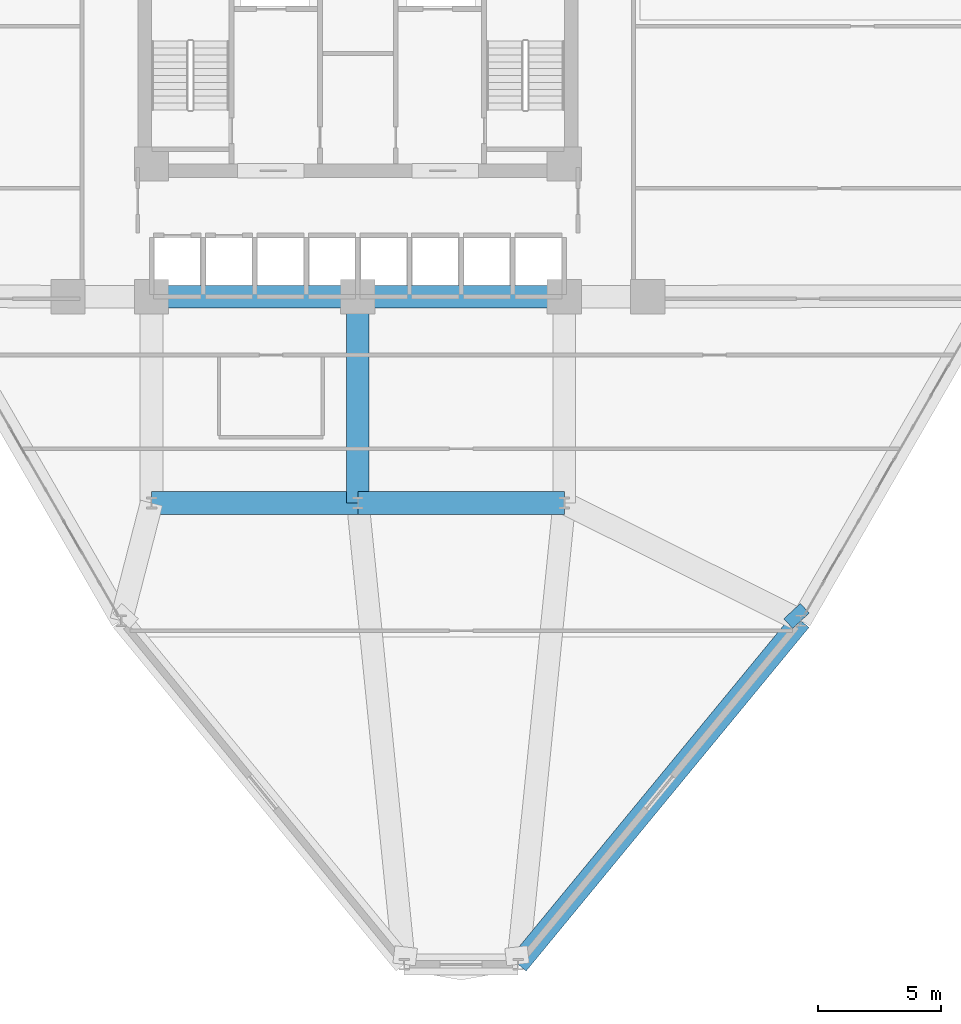
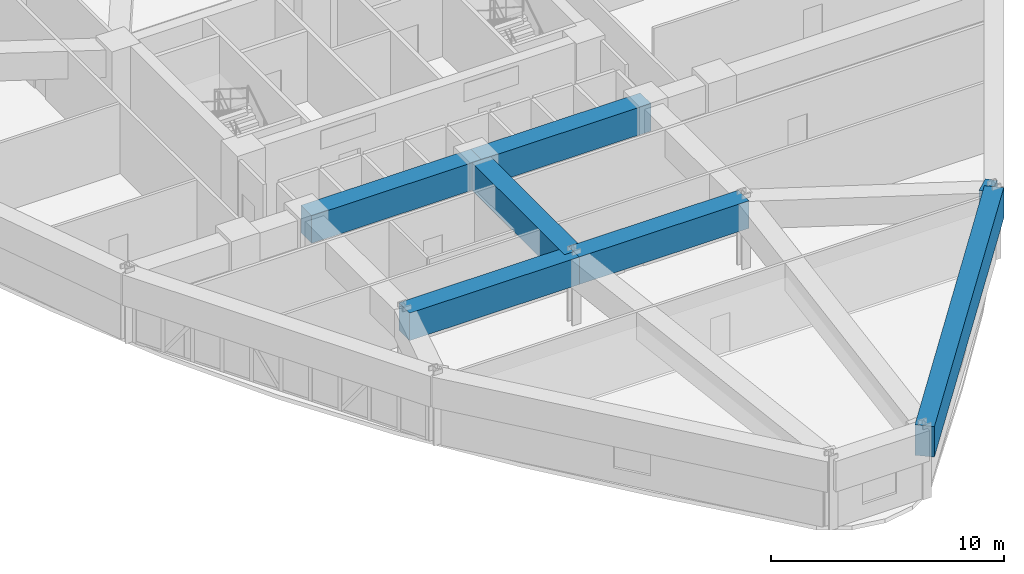
# One storey, part 5 of 18: 7 beams.
"""IFC4 building model written with IfcOpenShell, lengths in metres."""

from ifc_helpers import new_model, si_unit, derived_unit, direction, frame, origin, origin_2d, place, context, subcontext, project, spatial, rectangle, extrude, source, transform, mapped, material, material_profile, profile_set, type_object, element, save


model = new_model("IFC4")

# Units and contexts
model_context = context("Model", 3, precision=1e-05, world=origin(), true_north=direction((0.0, 1.0)))
body_context = subcontext(model_context, "Body", "Model", "MODEL_VIEW")
ifc_project = project(units=[si_unit("LENGTHUNIT", "METRE"), si_unit("AREAUNIT", "SQUARE_METRE"), si_unit("VOLUMEUNIT", "CUBIC_METRE"), si_unit("PLANEANGLEUNIT", "RADIAN"), si_unit("MASSUNIT", "GRAM", prefix="KILO"), derived_unit("THERMALTRANSMITTANCEUNIT", [(si_unit("POWERUNIT", "WATT"), 1), (si_unit("LENGTHUNIT", "METRE"), -2), (si_unit("THERMODYNAMICTEMPERATUREUNIT", "KELVIN"), -1)])], contexts=[model_context])

# Site, building, storey
site_placement = place(None, origin())
site = spatial("IfcSite", under=ifc_project, at=site_placement, CompositionType="ELEMENT")
building_placement = place(site_placement, origin())
building = spatial("IfcBuilding", under=site, at=building_placement, Name="Korsvarv Bourse and Concert Hall", CompositionType="ELEMENT")
storey_placement = place(building_placement, frame((0.0, 0.0, 71.699951171875)))
storey = spatial("IfcBuildingStorey", under=building, at=storey_placement, Name="L17", CompositionType="ELEMENT", Elevation=71.699951171875)

# Beams
ifc_material_1 = material(Name="Concrete C50/60", Category="concrete")
ifc_material_profile_1 = material_profile(ifc_material_1, rectangle(XDim=0.919921875, YDim=1.43994140625, at=origin_2d()), Name="RC-BM 920x1440")
ifc_profile_set_1 = profile_set([ifc_material_profile_1], Name="Concrete C50/60")
beam_type_1 = type_object("IfcBeamType", Name="BM-TR-144", PredefinedType="BEAM", material=ifc_profile_set_1)
shared_shape_1 = source(origin(), body_context, "Body", "SweptSolid", [
    extrude(rectangle(XDim=0.919921875, YDim=1.43994140625, at=origin_2d()), origin(), (0.0, 0.0, 1.0), 8.39990234375),
])
for number, where, z_axis, x_axis, name in (
    (1, (27.60009765625, 32.39990234375, 2.9599609375), (1.0, 0.0, 0.0), (0.0, 1.0, 0.0), "L17 beam B-TR4"),
    (2, (36.0, 32.39990234375, 2.9599609375), (1.0, 0.0, 0.0), (0.0, 1.0, 0.0), "L17 beam B-TR4"),
    (3, (27.60009765625, 24.0, 2.9599609375), (1.0, 0.0, 0.0), (0.0, 1.0, 0.0), "L17 beam B-TR4"),
    (4, (36.0, 24.0, 2.9599609375), (1.0, 0.0, 0.0), (0.0, 1.0, 0.0), "L17 beam B-TR4"),
    (5, (36.0, 24.0, 2.9599609375), (0.0, 1.0, 0.0), (-1.0, 0.0, 0.0), "L17 beam B-TR4"),
):
    element("IfcBeam", number, at=place(storey_placement, frame(where, z_axis=z_axis, x_axis=x_axis)), inside=storey, type_object=beam_type_1, Name=name, PredefinedType="BEAM", context=body_context, shape_type="MappedRepresentation", body=[
        mapped(shared_shape_1, transform((0.0, 0.0, 0.0), scale=1.0)),
    ])
ifc_material_2 = material(Name="Concrete C55/67", Category="concrete")
ifc_material_profile_2 = material_profile(ifc_material_2, rectangle(XDim=0.85009765625, YDim=1.60009765625, at=origin_2d()), Name="RC-BM 850x1600")
ifc_profile_set_2 = profile_set([ifc_material_profile_2], Name="Concrete C55/67")
beam_type_2 = type_object("IfcBeamType", Name="BM-TR1B", PredefinedType="BEAM", material=ifc_profile_set_2)
shared_shape_2 = source(origin(), body_context, "Body", "SweptSolid", [
    extrude(rectangle(XDim=0.85009765625, YDim=1.60009765625, at=origin_2d()), origin(), (0.0, 0.0, 1.0), 18.117431640625),
])
beam_1_placement = place(storey_placement, frame((42.51904296875, 5.218994140625, 2.880126953125), z_axis=(0.635544282578, 0.772064417573, 0.0), x_axis=(-0.772064417573, 0.635544282578, 0.0)))
element("IfcBeam", 6, at=beam_1_placement, inside=storey, type_object=beam_type_2, Name="L17 beam B-TR2", PredefinedType="BEAM", context=body_context, shape_type="MappedRepresentation", body=[
    mapped(shared_shape_2, transform((0.0, 0.0, 0.0), scale=1.0)),
])
shared_shape_3 = source(origin(), body_context, "Body", "SweptSolid", [
    extrude(rectangle(XDim=0.919921875, YDim=1.43994140625, at=origin_2d()), origin(), (0.0, 0.0, 1.0), 0.532958984375),
])
beam_2_placement = place(storey_placement, frame((54.033447265625, 19.206787109375, 2.9599609375), z_axis=(-0.678850648625, 0.734276376347, 0.0), x_axis=(-0.734276376347, -0.678850648625, 0.0)))
element("IfcBeam", 7, at=beam_2_placement, inside=storey, type_object=beam_type_1, Name="L17 beam B-TR4", PredefinedType="BEAM", context=body_context, shape_type="MappedRepresentation", body=[
    mapped(shared_shape_3, transform((0.0, 0.0, 0.0), scale=1.0)),
])

save(model, "model.ifc")
